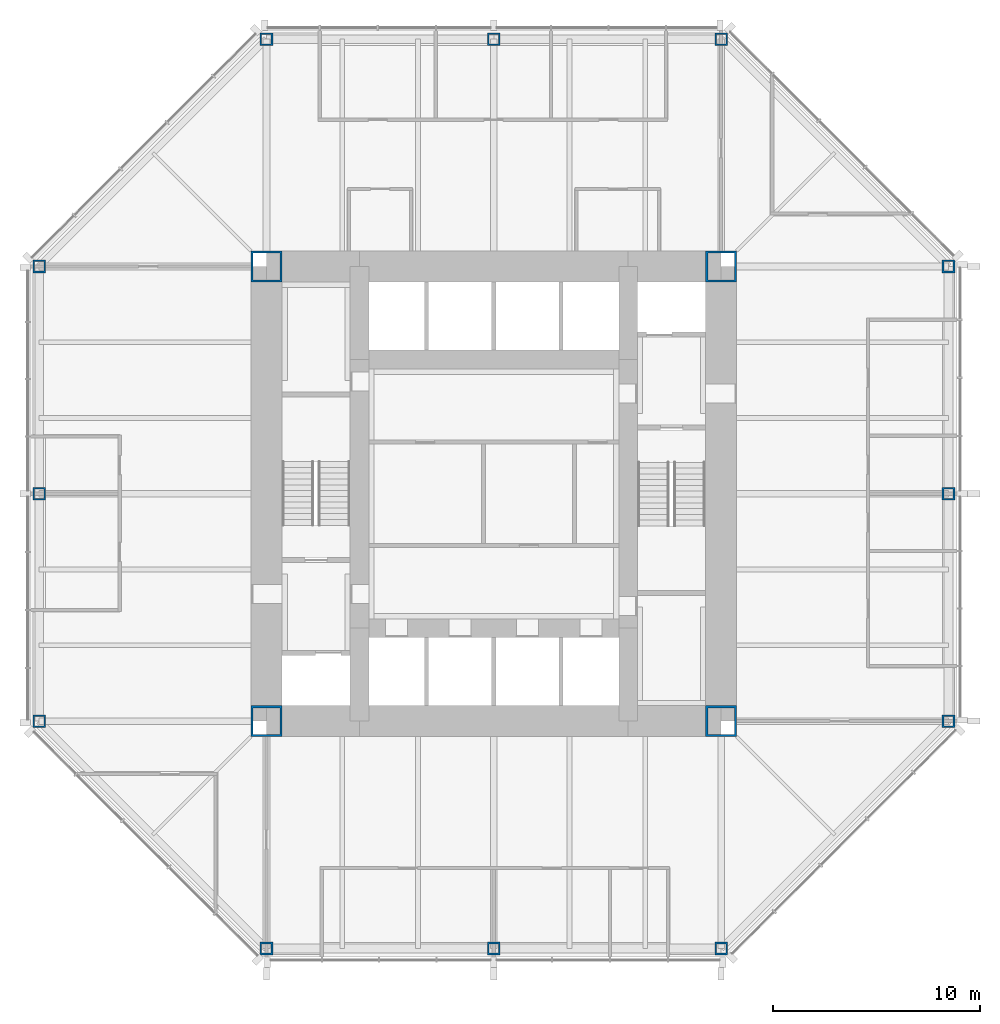
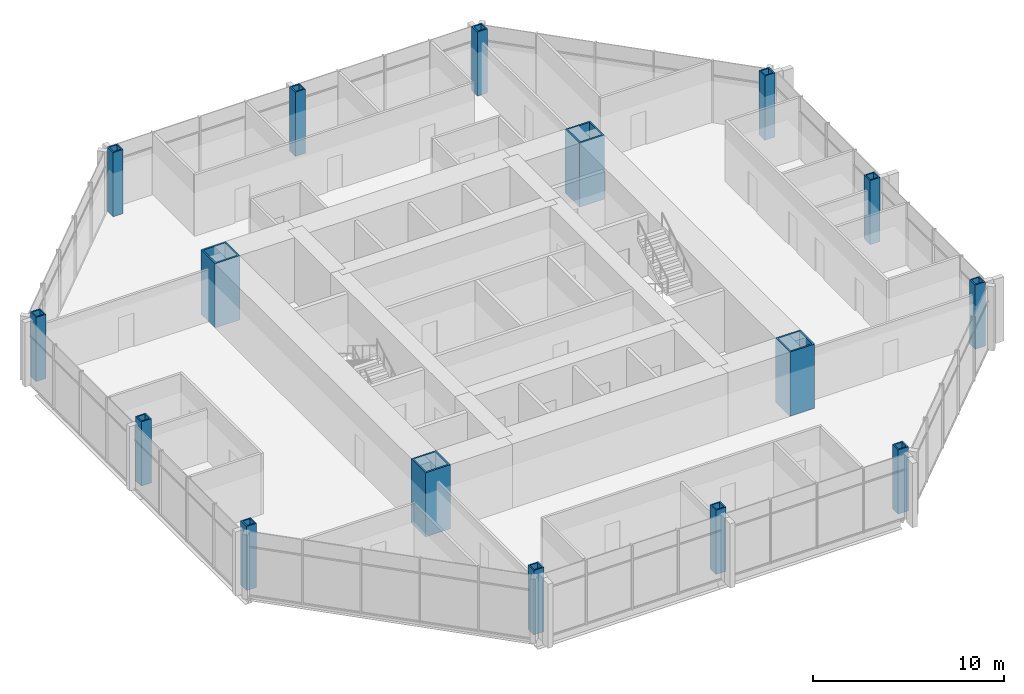
# One storey, part 1 of 12: 16 columns.
"""IFC4 building model written with IfcOpenShell, lengths in metres."""

from ifc_helpers import new_model, si_unit, direction, frame, origin, origin_2d, place, context, subcontext, project, spatial, hollow_rectangle, extrude, material, material_profile, profile_set, type_object, element, save


model = new_model("IFC4")

# Units and contexts
model_context = context("Model", 3, precision=1e-05, world=origin(), true_north=direction((0.0, 1.0)))
body_context = subcontext(model_context, "Body", "Model", "MODEL_VIEW")
ifc_project = project(units=[si_unit("LENGTHUNIT", "METRE"), si_unit("AREAUNIT", "SQUARE_METRE"), si_unit("VOLUMEUNIT", "CUBIC_METRE"), si_unit("PLANEANGLEUNIT", "RADIAN"), si_unit("MASSUNIT", "GRAM", prefix="KILO")], contexts=[model_context])

# Site, building, storey
site_placement = place(None, origin())
site = spatial("IfcSite", under=ifc_project, at=site_placement, CompositionType="ELEMENT")
building_placement = place(site_placement, origin())
building = spatial("IfcBuilding", under=site, at=building_placement, Name="Trevanion Tower", CompositionType="ELEMENT")
storey_placement = place(building_placement, frame((0.0, 0.0, 154.10009765625)))
storey = spatial("IfcBuildingStorey", under=building, at=storey_placement, Name="L36", CompositionType="ELEMENT", Elevation=154.10009765625)

# Columns
ifc_material_1 = material(Name="Steel ASTM A572 Grade 50", Category="steel")
ifc_material_profile_1 = material_profile(ifc_material_1, hollow_rectangle(XDim=0.609619140625, YDim=0.609619140625, WallThickness=0.076171875, at=origin_2d()), Name="BOX24X24X3")
ifc_profile_set_1 = profile_set([ifc_material_profile_1], Name="Steel ASTM A572 Grade 50")
column_type_1 = type_object("IfcColumnType", Name="C4 BOX24X24X3", PredefinedType="COLUMN", material=ifc_profile_set_1)
for number, where, z_axis, x_axis, name in (
    (1, (-22.0, 0.0, 0.0), (0.0, 0.0, 1.0), (0.0, 1.0, 0.0), "C4 4/H L36"),
    (2, (-22.0, -11.0, 0.0), (0.0, 0.0, 1.0), (0.0, 1.0, 0.0), "C4 4/F L36"),
    (3, (-11.0, -22.0, 0.0), (0.0, 0.0, 1.0), (1.0, 0.0, 0.0), "C4 8/B L36"),
    (4, (0.0, -22.0, 0.0), (0.0, 0.0, 1.0), (1.0, 0.0, 0.0), "C4 10/B L36"),
    (5, (11.0, -22.0, 0.0), (0.0, 0.0, 1.0), (1.0, 0.0, 0.0), "C4 12/B L36"),
    (6, (22.0, -11.0, 0.0), (0.0, 0.0, 1.0), (0.0, 1.0, 0.0), "C4 16/F L36"),
    (7, (22.0, 0.0, 0.0), (0.0, 0.0, 1.0), (0.0, 1.0, 0.0), "C4 16/H L36"),
    (8, (22.0, 11.0, 0.0), (0.0, 0.0, 1.0), (0.0, 1.0, 0.0), "C4 16/K L36"),
    (9, (11.0, 22.0, 0.0), (0.0, 0.0, 1.0), (1.0, 0.0, 0.0), "C4 12/P L36"),
    (10, (0.0, 22.0, 0.0), (0.0, 0.0, 1.0), (1.0, 0.0, 0.0), "C4 10/P L36"),
    (11, (-11.0, 22.0, 0.0), (0.0, 0.0, 1.0), (1.0, 0.0, 0.0), "C4 8/P L36"),
    (12, (-22.0, 11.0, 0.0), (0.0, 0.0, 1.0), (0.0, 1.0, 0.0), "C4 4/K L36"),
):
    element("IfcColumn", number, at=place(storey_placement, frame(where, z_axis=z_axis, x_axis=x_axis)), inside=storey, type_object=column_type_1, Name=name, PredefinedType="COLUMN", context=body_context, shape_type="SweptSolid", body=[
        extrude(hollow_rectangle(XDim=0.609619140625, YDim=0.609619140625, WallThickness=0.076171875, at=origin_2d()), origin(), (0.0, 0.0, 1.0), 4.099853515625),
    ])
ifc_material_2 = material(Name="Steel ASTM A572 Grade 50", Category="steel")
ifc_material_profile_2 = material_profile(ifc_material_2, hollow_rectangle(XDim=1.49853515625, YDim=1.49853515625, WallThickness=0.1015625, at=origin_2d()), Name="BOX59X59X4")
ifc_profile_set_2 = profile_set([ifc_material_profile_2], Name="Steel ASTM A572 Grade 50")
column_type_2 = type_object("IfcColumnType", Name="CB1 BOX59X59X4", PredefinedType="COLUMN", material=ifc_profile_set_2)
for number, where, z_axis, x_axis, name in (
    (13, (11.0, 11.0, 0.0), (0.0, 0.0, 1.0), (1.0, 0.0, 0.0), "CB1 NE L36"),
    (14, (-11.0, 11.0, 0.0), (0.0, 0.0, 1.0), (1.0, 0.0, 0.0), "CB1 NW L36"),
    (15, (-11.0, -11.0, 0.0), (0.0, 0.0, 1.0), (1.0, 0.0, 0.0), "CB1 SW L36"),
    (16, (11.0, -11.0, 0.0), (0.0, 0.0, 1.0), (1.0, 0.0, 0.0), "CB1 SE L36"),
):
    element("IfcColumn", number, at=place(storey_placement, frame(where, z_axis=z_axis, x_axis=x_axis)), inside=storey, type_object=column_type_2, Name=name, PredefinedType="COLUMN", context=body_context, shape_type="SweptSolid", body=[
        extrude(hollow_rectangle(XDim=1.49853515625, YDim=1.49853515625, WallThickness=0.1015625, at=origin_2d()), origin(), (0.0, 0.0, 1.0), 4.099853515625),
    ])

save(model, "model.ifc")
